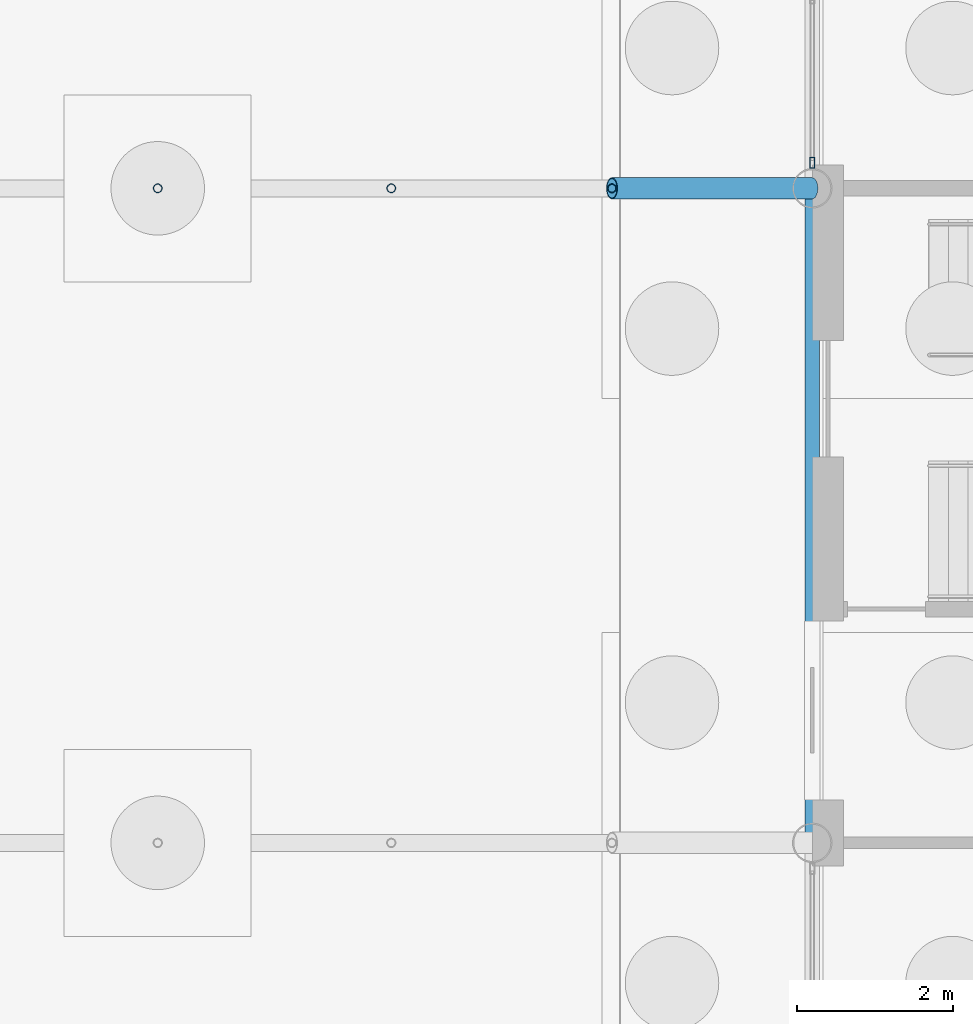
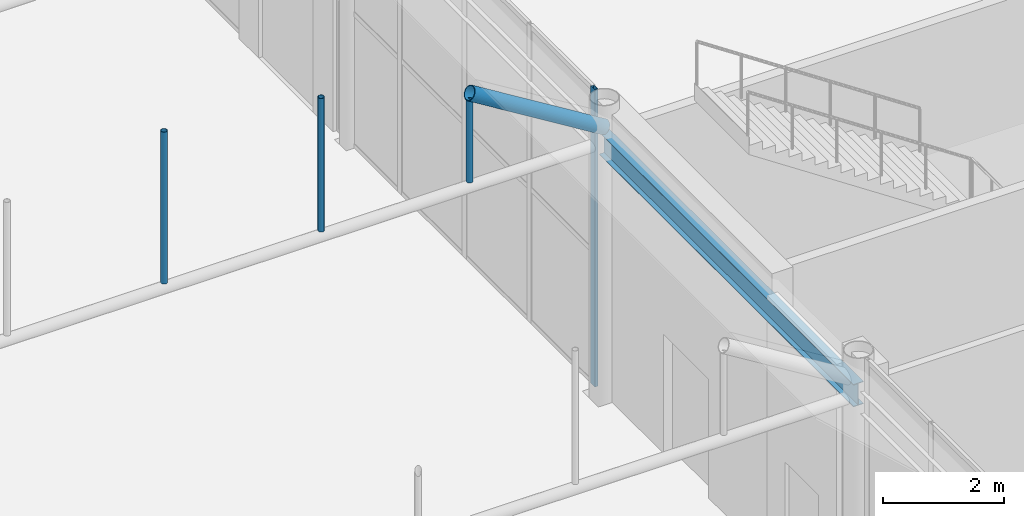
# One storey, part 102 of 212: 5 members, 1 beam, 1 element without a shape of its own.
"""IFC4 building model written with IfcOpenShell, lengths in metres."""

from ifc_helpers import new_model, si_unit, direction, frame, origin, origin_2d, place, context, subcontext, project, spatial, hollow_rectangle, hollow_circle, i_section, extrude, material, material_profile, profile_set, type_object, element, aggregate, save


model = new_model("IFC4")

# Units and contexts
model_context = context("Model", 3, precision=1e-05, world=origin(), true_north=direction((0.0, 1.0)))
body_context = subcontext(model_context, "Body", "Model", "MODEL_VIEW")
ifc_project = project(units=[si_unit("LENGTHUNIT", "METRE"), si_unit("AREAUNIT", "SQUARE_METRE"), si_unit("VOLUMEUNIT", "CUBIC_METRE"), si_unit("PLANEANGLEUNIT", "RADIAN"), si_unit("MASSUNIT", "GRAM", prefix="KILO")], contexts=[model_context])

# Site, building, storey
site_placement = place(None, origin())
site = spatial("IfcSite", under=ifc_project, at=site_placement, CompositionType="ELEMENT")
building_placement = place(site_placement, origin())
building = spatial("IfcBuilding", under=site, at=building_placement, Name="Catenary Quay Ferry Terminal", CompositionType="ELEMENT")
storey_placement = place(building_placement, origin())
storey = spatial("IfcBuildingStorey", under=building, at=storey_placement, Name="L00", CompositionType="ELEMENT", Elevation=0.0)

# Beam
ifc_material_1 = material(Name="Steel S355", Category="steel")
ifc_material_profile_1 = material_profile(ifc_material_1, i_section(OverallWidth=0.18994140625, OverallDepth=0.453369140625, WebThickness=0.008544921875, FlangeThickness=0.0126953125, at=origin_2d()), Name="UB 457x191x67")
ifc_profile_set_1 = profile_set([ifc_material_profile_1], Name="Steel S355")
beam_type = type_object("IfcBeamType", Name="B1 UB 457x191x67", PredefinedType="BEAM", material=ifc_profile_set_1)
beam_placement = place(storey_placement, frame((25.199951171875, 100.800048828125, 5.10009765625), z_axis=(0.0, 1.0, 0.0), x_axis=(-1.0, 0.0, 0.0)))
element("IfcBeam", 1, at=beam_placement, inside=storey, type_object=beam_type, Name="Eaves beam B-FD5", PredefinedType="BEAM", context=body_context, shape_type="SweptSolid", body=[
    extrude(i_section(OverallWidth=0.18994140625, OverallDepth=0.453369140625, WebThickness=0.008544921875, FlangeThickness=0.0126953125, at=origin_2d()), origin(), (0.0, 0.0, 1.0), 8.39990234375),
])

# Members
ifc_material_2 = material(Name="Steel S355", Category="steel")
ifc_material_profile_2 = material_profile(ifc_material_2, hollow_circle(Radius=0.05712890625, WallThickness=0.00634765625, at=origin_2d()), Name="CHS 114.3x6.3")
ifc_profile_set_2 = profile_set([ifc_material_profile_2], Name="Steel S355")
member_type_1 = type_object("IfcMemberType", Name="HG1 CHS 114.3x6.3", PredefinedType="POST", material=ifc_profile_set_2)
member_1_placement = place(storey_placement, frame((16.800048828125, 109.199951171875, 5.205078125), z_axis=(0.0, 0.0, 1.0), x_axis=(1.0, 0.0, 0.0)))
element("IfcMember", 2, at=member_1_placement, inside=storey, type_object=member_type_1, Name="Hanger FC-06-03", PredefinedType="POST", context=body_context, shape_type="SweptSolid", body=[
    extrude(hollow_circle(Radius=0.05712890625, WallThickness=0.00634765625, at=origin_2d()), origin(), (0.0, 0.0, 1.0), 3.06494140625),
])
member_2_placement = place(storey_placement, frame((19.797119140625, 109.199951171875, 5.205078125), z_axis=(0.0, 0.0, 1.0), x_axis=(1.0, 0.0, 0.0)))
element("IfcMember", 3, at=member_2_placement, inside=storey, type_object=member_type_1, Name="Hanger FC-06-04", PredefinedType="POST", context=body_context, shape_type="SweptSolid", body=[
    extrude(hollow_circle(Radius=0.05712890625, WallThickness=0.00634765625, at=origin_2d()), origin(), (0.0, 0.0, 1.0), 2.69580078125),
])
member_3_placement = place(storey_placement, frame((22.62890625, 109.199951171875, 5.205078125), z_axis=(0.0, 0.0, 1.0), x_axis=(1.0, 0.0, 0.0)))
element("IfcMember", 4, at=member_3_placement, inside=storey, type_object=member_type_1, Name="Hanger FC-06-05", PredefinedType="POST", context=body_context, shape_type="SweptSolid", body=[
    extrude(hollow_circle(Radius=0.05712890625, WallThickness=0.00634765625, at=origin_2d()), origin(), (0.0, 0.0, 1.0), 1.64892578125),
])

# Curtain wall, member
ifc_material_3 = material(Name="Aluminium and glass", Category="aluminium")
curtain_wall_type = type_object("IfcCurtainWallType", Name="CWG", PredefinedType="NOTDEFINED", material=ifc_material_3)
curtain_wall_placement = place(storey_placement, origin())
curtain_wall = element("IfcCurtainWall", 5, at=curtain_wall_placement, inside=storey, type_object=curtain_wall_type, Name="Gable departure hall curtain wall CW13", PredefinedType="NOTDEFINED")
ifc_material_4 = material(Name="Aluminium", Category="aluminium")
ifc_material_profile_3 = material_profile(ifc_material_4, hollow_rectangle(XDim=0.06005859375, YDim=0.139892578125, WallThickness=0.006103515625, at=origin_2d()), Name="MU2")
ifc_profile_set_3 = profile_set([ifc_material_profile_3], Name="Aluminium")
member_type_2 = type_object("IfcMemberType", Name="MU2", PredefinedType="MULLION", material=ifc_profile_set_3)
member_4_placement = place(storey_placement, frame((25.199951171875, 109.530029296875, 0.0), z_axis=(0.0, 0.0, 1.0), x_axis=(-1.0, 0.0, 0.0)))
member_4 = element("IfcMember", 6, at=member_4_placement, type_object=member_type_2, Name="CW13 mullion 1", PredefinedType="MULLION", context=body_context, shape_type="SweptSolid", body=[
    extrude(hollow_rectangle(XDim=0.06005859375, YDim=0.139892578125, WallThickness=0.006103515625, at=origin_2d()), origin(), (0.0, 0.0, 1.0), 6.0),
])
aggregate(curtain_wall, [member_4])

# Member
ifc_material_5 = material(Name="Steel S355", Category="steel")
ifc_material_profile_4 = material_profile(ifc_material_5, hollow_circle(Radius=0.136474609375, WallThickness=0.012451171875, at=origin_2d()), Name="CHS 273x12.5")
ifc_profile_set_4 = profile_set([ifc_material_profile_4], Name="Steel S355")
member_type_3 = type_object("IfcMemberType", Name="VR2 CHS 273x12.5", PredefinedType="RAFTER", material=ifc_profile_set_4)
member_5_placement = place(storey_placement, frame((22.62890625, 109.199951171875, 6.98388671875), z_axis=(0.851391726314, 0.0, -0.524530388408), x_axis=(0.0, 1.0, 0.0)))
element("IfcMember", 7, at=member_5_placement, inside=storey, type_object=member_type_3, Name="rib FC-06-06", PredefinedType="RAFTER", context=body_context, shape_type="SweptSolid", body=[
    extrude(hollow_circle(Radius=0.136474609375, WallThickness=0.012451171875, at=origin_2d()), origin(), (0.0, 0.0, 1.0), 3.019775390625),
])

save(model, "model.ifc")
